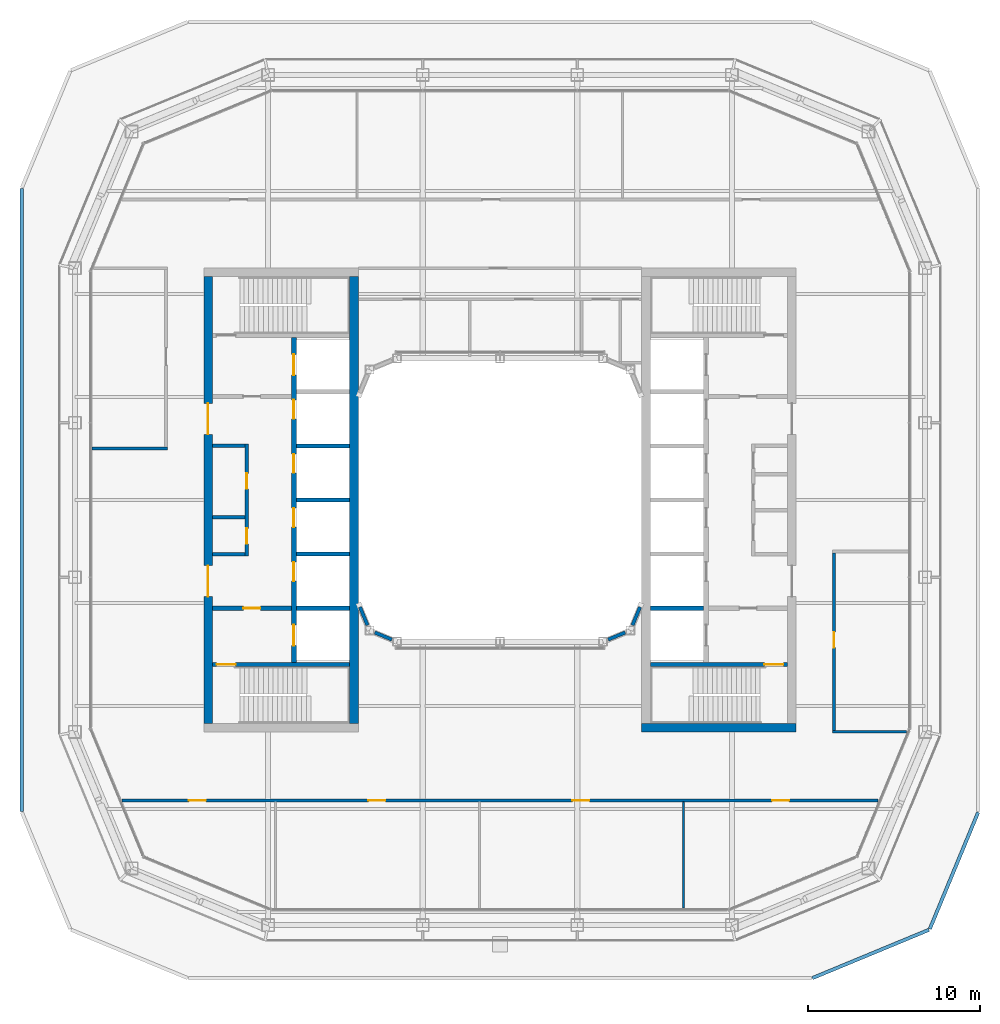
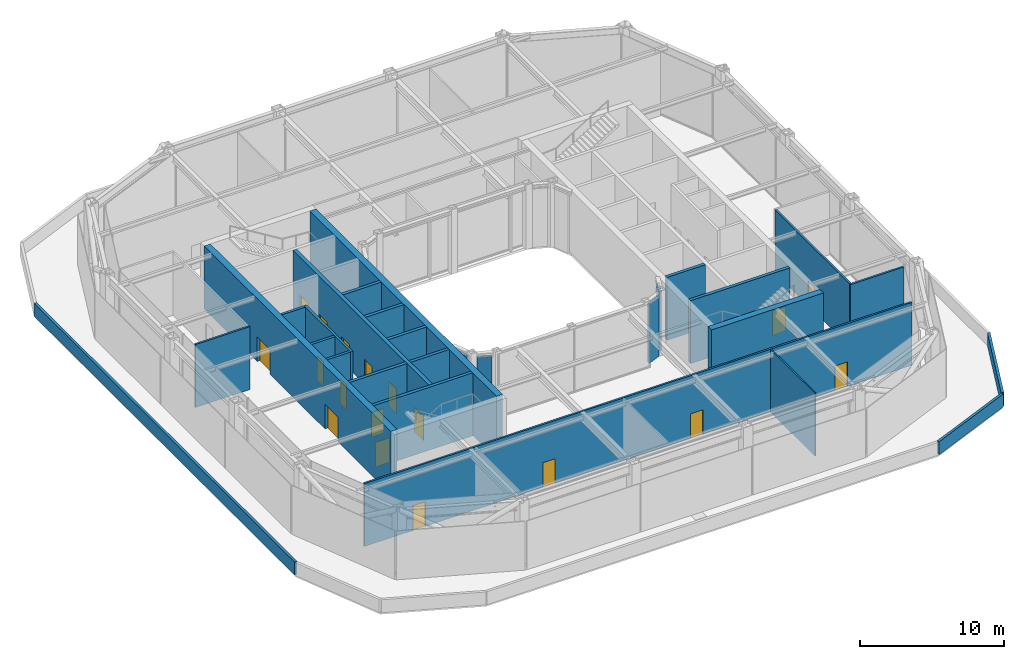
# One storey, part 10 of 17: 28 walls, 18 doors, 18 openings.
"""IFC4 building model written with IfcOpenShell, lengths in metres."""

from ifc_helpers import new_model, si_unit, direction, frame, frame_2d, origin, place, context, subcontext, project, spatial, rectangle, extrude, material, layer, layer_set, type_object, element, fill, save


model = new_model("IFC4")

# Units and contexts
model_context = context("Model", 3, precision=1e-05, world=origin(), true_north=direction((0.0, 1.0)))
body_context = subcontext(model_context, "Body", "Model", "MODEL_VIEW")
ifc_project = project(units=[si_unit("LENGTHUNIT", "METRE"), si_unit("AREAUNIT", "SQUARE_METRE"), si_unit("VOLUMEUNIT", "CUBIC_METRE"), si_unit("PLANEANGLEUNIT", "RADIAN"), si_unit("MASSUNIT", "GRAM", prefix="KILO")], contexts=[model_context])

# Site, building, storey
site_placement = place(None, origin())
site = spatial("IfcSite", under=ifc_project, at=site_placement, CompositionType="ELEMENT")
building_placement = place(site_placement, origin())
building = spatial("IfcBuilding", under=site, at=building_placement, Name="Siwar Civic Tower", CompositionType="ELEMENT")
storey_placement = place(building_placement, frame((0.0, 0.0, 284.199951171875)))
storey = spatial("IfcBuildingStorey", under=building, at=storey_placement, Name="L61", CompositionType="ELEMENT", Elevation=284.199951171875)

# Wall
ifc_material_1 = material(Name="Gypsum board on steel studs", Category="steel")
ifc_layer_1 = layer(ifc_material_1, 0.14990234375)
ifc_layer_set_1 = layer_set([ifc_layer_1], Name="Gypsum board on steel studs")
wall_type_1 = type_object("IfcWallType", Name="COMPARTMENT PARTITION 150 EI 60", PredefinedType="PARTITIONING", material=ifc_layer_set_1)
wall_1_placement = place(storey_placement, frame((19.375, -13.5, 0.0), z_axis=(0.0, 0.0, 1.0), x_axis=(1.0, 0.0, 0.0)))
element("IfcWall", 1, at=wall_1_placement, inside=storey, type_object=wall_type_1, Name="L61/wall/P02", PredefinedType="PARTITIONING", context=body_context, shape_type="SweptSolid", body=[
    extrude(rectangle(XDim=4.302978515625, YDim=0.14990234375, at=frame_2d((2.1513671875, 0.0))), origin(), (0.0, 0.0, 1.0), 5.35009765625),
])

# Wall, opening, door
wall_2_placement = place(storey_placement, frame((19.449951171875, -13.425048828125, 0.0), z_axis=(0.0, 0.0, 1.0), x_axis=(0.0, 1.0, 0.0)))
wall_2 = element("IfcWall", 2, at=wall_2_placement, inside=storey, type_object=wall_type_1, Name="L61/wall/P20", PredefinedType="PARTITIONING", context=body_context, shape_type="SweptSolid", body=[
    extrude(rectangle(XDim=10.35009765625, YDim=0.14990234375, at=frame_2d((5.175048828125, 0.0))), origin(), (0.0, 0.0, 1.0), 5.35009765625),
])
opening_1_placement = place(wall_2_placement, frame((4.824951171875, 0.0, 0.0)))
opening_1 = element("IfcOpeningElement", 3, at=opening_1_placement, cuts=wall_2, Name="Opening D4", PredefinedType="OPENING", context=body_context, shape_type="SweptSolid", body=[
    extrude(rectangle(XDim=0.89990234375, YDim=2.10009765625, at=frame_2d((0.449951171875, 1.050048828125))), frame((0.0, 0.0849609375, 0.0), z_axis=(0.0, -1.0, 0.0), x_axis=(1.0, 0.0, 0.0)), (0.0, 0.0, 1.0), 0.169921875),
])
ifc_material_2 = material(Name="Timber, painted", Category="wood")
door_type_1 = type_object("IfcDoorType", Name="DOOR 900 X 2100 FD60", OperationType="SINGLE_SWING_LEFT", PredefinedType="DOOR", material=ifc_material_2)
door_1_placement = place(opening_1_placement, origin())
door_1 = element("IfcDoor", 4, at=door_1_placement, inside=storey, type_object=door_type_1, Name="L61-D14", OperationType="SINGLE_SWING_RIGHT", OverallHeight=2.10009765625, OverallWidth=0.89990234375, PredefinedType="DOOR", context=body_context, shape_type="SweptSolid", body=[
    extrude(rectangle(XDim=0.89990234375, YDim=2.10009765625, at=frame_2d((0.449951171875, 1.050048828125))), frame((0.0, 0.02490234375, 0.0), z_axis=(0.0, -1.0, 0.0), x_axis=(1.0, 0.0, 0.0)), (0.0, 0.0, 1.0), 0.050048828125),
])
fill(opening_1, door_1)

# Wall, openings, doors
ifc_material_3 = material(Name="Gypsum board on steel studs", Category="steel")
ifc_layer_2 = layer(ifc_material_3, 0.199951171875)
ifc_layer_set_2 = layer_set([ifc_layer_2], Name="Gypsum board on steel studs")
wall_type_2 = type_object("IfcWallType", Name="CORE-PARTITION-200", PredefinedType="PARTITIONING", material=ifc_layer_set_2)
wall_3_placement = place(storey_placement, frame((-14.75, -3.25, 0.0), z_axis=(0.0, 0.0, 1.0), x_axis=(0.0, 1.0, 0.0)))
wall_3 = element("IfcWall", 5, at=wall_3_placement, inside=storey, type_object=wall_type_2, Name="Core partition W", PredefinedType="PARTITIONING", context=body_context, shape_type="SweptSolid", body=[
    extrude(rectangle(XDim=6.5, YDim=0.199951171875, at=frame_2d((3.25, 0.0))), origin(), (0.0, 0.0, 1.0), 5.35009765625),
])
opening_2_placement = place(wall_3_placement, frame((0.699951171875, 0.0, 0.0)))
opening_2 = element("IfcOpeningElement", 6, at=opening_2_placement, cuts=wall_3, Name="Opening L61-CW13", PredefinedType="OPENING", context=body_context, shape_type="SweptSolid", body=[
    extrude(rectangle(XDim=0.89990234375, YDim=2.10009765625, at=frame_2d((0.449951171875, 1.050048828125))), frame((0.0, 0.10986328125, 0.0), z_axis=(0.0, -1.0, 0.0), x_axis=(1.0, 0.0, 0.0)), (0.0, 0.0, 1.0), 0.219970703125),
])
opening_3_placement = place(wall_3_placement, frame((3.89990234375, 0.0, 0.0)))
opening_3 = element("IfcOpeningElement", 7, at=opening_3_placement, cuts=wall_3, Name="Opening L61-CW14", PredefinedType="OPENING", context=body_context, shape_type="SweptSolid", body=[
    extrude(rectangle(XDim=0.89990234375, YDim=2.10009765625, at=frame_2d((0.449951171875, 1.050048828125))), frame((0.0, 0.10986328125, 0.0), z_axis=(0.0, -1.0, 0.0), x_axis=(1.0, 0.0, 0.0)), (0.0, 0.0, 1.0), 0.219970703125),
])
ifc_material_4 = material(Name="Steel door leaf", Category="steel")
door_type_2 = type_object("IfcDoorType", Name="CORE-DOOR-ROOM", OperationType="SINGLE_SWING_LEFT", PredefinedType="DOOR", material=ifc_material_4)
door_2_placement = place(opening_2_placement, origin())
door_2 = element("IfcDoor", 8, at=door_2_placement, inside=storey, type_object=door_type_2, Name="Core room door L61-CW13", OperationType="SINGLE_SWING_RIGHT", OverallHeight=2.10009765625, OverallWidth=0.89990234375, PredefinedType="DOOR", context=body_context, shape_type="SweptSolid", body=[
    extrude(rectangle(XDim=0.89990234375, YDim=2.10009765625, at=frame_2d((0.449951171875, 1.050048828125))), frame((0.0, 0.02490234375, 0.0), z_axis=(0.0, -1.0, 0.0), x_axis=(1.0, 0.0, 0.0)), (0.0, 0.0, 1.0), 0.050048828125),
])
fill(opening_2, door_2)
door_3_placement = place(opening_3_placement, origin())
door_3 = element("IfcDoor", 9, at=door_3_placement, inside=storey, type_object=door_type_2, Name="Core room door L61-CW14", OperationType="SINGLE_SWING_LEFT", OverallHeight=2.10009765625, OverallWidth=0.89990234375, PredefinedType="DOOR", context=body_context, shape_type="SweptSolid", body=[
    extrude(rectangle(XDim=0.89990234375, YDim=2.10009765625, at=frame_2d((0.449951171875, 1.050048828125))), frame((0.0, 0.02490234375, 0.0), z_axis=(0.0, -1.0, 0.0), x_axis=(1.0, 0.0, 0.0)), (0.0, 0.0, 1.0), 0.050048828125),
])
fill(opening_3, door_3)

# Walls
for number, where, z_axis, x_axis, name in (
    (10, (-14.85009765625, 3.14990234375, 0.0), (0.0, 0.0, 1.0), (-1.0, 0.0, 0.0), "Core partition W"),
    (11, (-14.85009765625, -3.14990234375, 0.0), (0.0, 0.0, 1.0), (-1.0, 0.0, 0.0), "Core partition W"),
    (12, (-14.85009765625, -1.0, 0.0), (0.0, 0.0, 1.0), (-1.0, 0.0, 0.0), "Core partition W"),
):
    element("IfcWall", number, at=place(storey_placement, frame(where, z_axis=z_axis, x_axis=x_axis)), inside=storey, type_object=wall_type_2, Name=name, PredefinedType="PARTITIONING", context=body_context, shape_type="SweptSolid", body=[
        extrude(rectangle(XDim=1.89990234375, YDim=0.199951171875, at=frame_2d((0.949951171875, 0.0))), origin(), (0.0, 0.0, 1.0), 5.35009765625),
    ])

# Wall, opening, door
ifc_material_5 = material(Name="Concrete C60/75", Category="concrete")
ifc_layer_3 = layer(ifc_material_5, 0.25)
ifc_layer_set_3 = layer_set([ifc_layer_3], Name="Concrete C60/75")
wall_type_3 = type_object("IfcWallType", Name="CORE-WALL-RC250", PredefinedType="SHEAR", material=ifc_layer_set_3)
wall_4_placement = place(storey_placement, frame((-12.14990234375, -6.300048828125, 0.0), z_axis=(0.0, 0.0, 1.0), x_axis=(-1.0, 0.0, 0.0)))
wall_4 = element("IfcWall", 13, at=wall_4_placement, inside=storey, type_object=wall_type_3, Name="Core wall W", PredefinedType="SHEAR", context=body_context, shape_type="SweptSolid", body=[
    extrude(rectangle(XDim=4.60009765625, YDim=0.25, at=frame_2d((2.300048828125, 0.0))), origin(), (0.0, 0.0, 1.0), 5.35009765625),
])
opening_4_placement = place(wall_4_placement, frame((1.800048828125, 0.0, 0.0)))
opening_4 = element("IfcOpeningElement", 14, at=opening_4_placement, cuts=wall_4, Name="Opening L61-CW02", PredefinedType="OPENING", context=body_context, shape_type="SweptSolid", body=[
    extrude(rectangle(XDim=1.0, YDim=2.10009765625, at=frame_2d((0.5, 1.050048828125))), frame((0.0, 0.135009765625, 0.0), z_axis=(0.0, -1.0, 0.0), x_axis=(1.0, 0.0, 0.0)), (0.0, 0.0, 1.0), 0.27001953125),
])
ifc_material_6 = material(Name="Steel door leaf", Category="steel")
door_type_3 = type_object("IfcDoorType", Name="CORE-DOOR-FD30S", OperationType="SINGLE_SWING_LEFT", PredefinedType="DOOR", material=ifc_material_6)
door_4_placement = place(opening_4_placement, origin())
door_4 = element("IfcDoor", 15, at=door_4_placement, inside=storey, type_object=door_type_3, Name="Service lobby door L61-CW02", OperationType="SINGLE_SWING_RIGHT", OverallHeight=2.10009765625, OverallWidth=1.0, PredefinedType="DOOR", context=body_context, shape_type="SweptSolid", body=[
    extrude(rectangle(XDim=1.0, YDim=2.10009765625, at=frame_2d((0.5, 1.050048828125))), frame((0.0, 0.02490234375, 0.0), z_axis=(0.0, -1.0, 0.0), x_axis=(1.0, 0.0, 0.0)), (0.0, 0.0, 1.0), 0.050048828125),
])
fill(opening_4, door_4)

# Walls
for number, where, z_axis, x_axis, name in (
    (16, (-8.75, 0.0, 0.0), (0.0, 0.0, 1.0), (-1.0, 0.0, 0.0), "Core wall W"),
    (17, (-8.75, 3.14990234375, 0.0), (0.0, 0.0, 1.0), (-1.0, 0.0, 0.0), "Core wall W"),
    (18, (-8.75, -3.14990234375, 0.0), (0.0, 0.0, 1.0), (-1.0, 0.0, 0.0), "Core wall W"),
    (19, (-8.75, -6.300048828125, 0.0), (0.0, 0.0, 1.0), (-1.0, 0.0, 0.0), "Core wall W"),
):
    element("IfcWall", number, at=place(storey_placement, frame(where, z_axis=z_axis, x_axis=x_axis)), inside=storey, type_object=wall_type_3, Name=name, PredefinedType="SHEAR", context=body_context, shape_type="SweptSolid", body=[
        extrude(rectangle(XDim=3.10009765625, YDim=0.25, at=frame_2d((1.550048828125, 0.0))), origin(), (0.0, 0.0, 1.0), 5.35009765625),
    ])

# Wall, opening, door
wall_5_placement = place(storey_placement, frame((-8.75, -9.574951171875, 0.0), z_axis=(0.0, 0.0, 1.0), x_axis=(-1.0, 0.0, 0.0)))
wall_5 = element("IfcWall", 20, at=wall_5_placement, inside=storey, type_object=wall_type_3, Name="Core wall W", PredefinedType="SHEAR", context=body_context, shape_type="SweptSolid", body=[
    extrude(rectangle(XDim=8.0, YDim=0.25, at=frame_2d((4.0, 0.0))), origin(), (0.0, 0.0, 1.0), 5.35009765625),
])
opening_5_placement = place(wall_5_placement, frame((6.64990234375, 0.0, 0.0)))
opening_5 = element("IfcOpeningElement", 21, at=opening_5_placement, cuts=wall_5, Name="Opening L61-CW04", PredefinedType="OPENING", context=body_context, shape_type="SweptSolid", body=[
    extrude(rectangle(XDim=1.10009765625, YDim=2.10009765625, at=frame_2d((0.550048828125, 1.050048828125))), frame((0.0, 0.135009765625, 0.0), z_axis=(0.0, -1.0, 0.0), x_axis=(1.0, 0.0, 0.0)), (0.0, 0.0, 1.0), 0.27001953125),
])
ifc_material_7 = material(Name="Steel door leaf", Category="steel")
door_type_4 = type_object("IfcDoorType", Name="CORE-DOOR-FD60S", OperationType="SINGLE_SWING_LEFT", PredefinedType="DOOR", material=ifc_material_7)
door_5_placement = place(opening_5_placement, origin())
door_5 = element("IfcDoor", 22, at=door_5_placement, inside=storey, type_object=door_type_4, Name="Stair door L61-CW04", OperationType="SINGLE_SWING_LEFT", OverallHeight=2.10009765625, OverallWidth=1.10009765625, PredefinedType="DOOR", context=body_context, shape_type="SweptSolid", body=[
    extrude(rectangle(XDim=1.10009765625, YDim=2.10009765625, at=frame_2d((0.550048828125, 1.050048828125))), frame((0.0, 0.02490234375, 0.0), z_axis=(0.0, -1.0, 0.0), x_axis=(1.0, 0.0, 0.0)), (0.0, 0.0, 1.0), 0.050048828125),
])
fill(opening_5, door_5)

# Wall
wall_6_placement = place(storey_placement, frame((8.75, -6.300048828125, 0.0), z_axis=(0.0, 0.0, 1.0), x_axis=(1.0, 0.0, 0.0)))
element("IfcWall", 23, at=wall_6_placement, inside=storey, type_object=wall_type_3, Name="Core wall E", PredefinedType="SHEAR", context=body_context, shape_type="SweptSolid", body=[
    extrude(rectangle(XDim=3.10009765625, YDim=0.25, at=frame_2d((1.550048828125, 0.0))), origin(), (0.0, 0.0, 1.0), 5.35009765625),
])

# Wall, opening, door
wall_7_placement = place(storey_placement, frame((8.75, -9.574951171875, 0.0), z_axis=(0.0, 0.0, 1.0), x_axis=(1.0, 0.0, 0.0)))
wall_7 = element("IfcWall", 24, at=wall_7_placement, inside=storey, type_object=wall_type_3, Name="Core wall E", PredefinedType="SHEAR", context=body_context, shape_type="SweptSolid", body=[
    extrude(rectangle(XDim=8.0, YDim=0.25, at=frame_2d((4.0, 0.0))), origin(), (0.0, 0.0, 1.0), 5.35009765625),
])
opening_6_placement = place(wall_7_placement, frame((6.64990234375, 0.0, 0.0)))
opening_6 = element("IfcOpeningElement", 25, at=opening_6_placement, cuts=wall_7, Name="Opening L61-CE04", PredefinedType="OPENING", context=body_context, shape_type="SweptSolid", body=[
    extrude(rectangle(XDim=1.10009765625, YDim=2.10009765625, at=frame_2d((0.550048828125, 1.050048828125))), frame((0.0, 0.135009765625, 0.0), z_axis=(0.0, -1.0, 0.0), x_axis=(1.0, 0.0, 0.0)), (0.0, 0.0, 1.0), 0.27001953125),
])
door_6_placement = place(opening_6_placement, origin())
door_6 = element("IfcDoor", 26, at=door_6_placement, inside=storey, type_object=door_type_4, Name="Stair door L61-CE04", OperationType="SINGLE_SWING_RIGHT", OverallHeight=2.10009765625, OverallWidth=1.10009765625, PredefinedType="DOOR", context=body_context, shape_type="SweptSolid", body=[
    extrude(rectangle(XDim=1.10009765625, YDim=2.10009765625, at=frame_2d((0.550048828125, 1.050048828125))), frame((0.0, 0.02490234375, 0.0), z_axis=(0.0, -1.0, 0.0), x_axis=(1.0, 0.0, 0.0)), (0.0, 0.0, 1.0), 0.050048828125),
])
fill(opening_6, door_6)

# Wall, openings, doors
ifc_material_8 = material(Name="Concrete C60/75", Category="concrete")
ifc_layer_4 = layer(ifc_material_8, 0.300048828125)
ifc_layer_set_4 = layer_set([ifc_layer_4], Name="Concrete C60/75")
wall_type_4 = type_object("IfcWallType", Name="CORE-WALL-RC300", PredefinedType="SHEAR", material=ifc_layer_set_4)
wall_8_placement = place(storey_placement, frame((-12.0, -9.449951171875, 0.0), z_axis=(0.0, 0.0, 1.0), x_axis=(0.0, 1.0, 0.0)))
wall_8 = element("IfcWall", 27, at=wall_8_placement, inside=storey, type_object=wall_type_4, Name="Core wall W", PredefinedType="SHEAR", context=body_context, shape_type="SweptSolid", body=[
    extrude(rectangle(XDim=18.89990234375, YDim=0.300048828125, at=frame_2d((9.449951171875, 0.0))), origin(), (0.0, 0.0, 1.0), 5.35009765625),
])
opening_7_placement = place(wall_8_placement, frame((4.72509765625, 0.0, 0.0)))
opening_7 = element("IfcOpeningElement", 28, at=opening_7_placement, cuts=wall_8, Name="Opening L61-CW07", PredefinedType="OPENING", context=body_context, shape_type="SweptSolid", body=[
    extrude(rectangle(XDim=1.10009765625, YDim=2.10009765625, at=frame_2d((0.550048828125, 1.050048828125))), frame((0.0, 0.16015625, 0.0), z_axis=(0.0, -1.0, 0.0), x_axis=(1.0, 0.0, 0.0)), (0.0, 0.0, 1.0), 0.320068359375),
])
opening_8_placement = place(wall_8_placement, frame((7.875, 0.0, 0.0)))
opening_8 = element("IfcOpeningElement", 29, at=opening_8_placement, cuts=wall_8, Name="Opening L61-CW08", PredefinedType="OPENING", context=body_context, shape_type="SweptSolid", body=[
    extrude(rectangle(XDim=1.10009765625, YDim=2.10009765625, at=frame_2d((0.550048828125, 1.050048828125))), frame((0.0, 0.16015625, 0.0), z_axis=(0.0, -1.0, 0.0), x_axis=(1.0, 0.0, 0.0)), (0.0, 0.0, 1.0), 0.320068359375),
])
opening_9_placement = place(wall_8_placement, frame((11.02490234375, 0.0, 0.0)))
opening_9 = element("IfcOpeningElement", 30, at=opening_9_placement, cuts=wall_8, Name="Opening L61-CW09", PredefinedType="OPENING", context=body_context, shape_type="SweptSolid", body=[
    extrude(rectangle(XDim=1.10009765625, YDim=2.10009765625, at=frame_2d((0.550048828125, 1.050048828125))), frame((0.0, 0.16015625, 0.0), z_axis=(0.0, -1.0, 0.0), x_axis=(1.0, 0.0, 0.0)), (0.0, 0.0, 1.0), 0.320068359375),
])
opening_10_placement = place(wall_8_placement, frame((14.175048828125, 0.0, 0.0)))
opening_10 = element("IfcOpeningElement", 31, at=opening_10_placement, cuts=wall_8, Name="Opening L61-CW10", PredefinedType="OPENING", context=body_context, shape_type="SweptSolid", body=[
    extrude(rectangle(XDim=1.10009765625, YDim=2.10009765625, at=frame_2d((0.550048828125, 1.050048828125))), frame((0.0, 0.16015625, 0.0), z_axis=(0.0, -1.0, 0.0), x_axis=(1.0, 0.0, 0.0)), (0.0, 0.0, 1.0), 0.320068359375),
])
opening_11_placement = place(wall_8_placement, frame((16.72509765625, 0.0, 0.0)))
opening_11 = element("IfcOpeningElement", 32, at=opening_11_placement, cuts=wall_8, Name="Opening L61-CW11", PredefinedType="OPENING", context=body_context, shape_type="SweptSolid", body=[
    extrude(rectangle(XDim=1.199951171875, YDim=2.10009765625, at=frame_2d((0.60009765625, 1.050048828125))), frame((0.0, 0.16015625, 0.0), z_axis=(0.0, -1.0, 0.0), x_axis=(1.0, 0.0, 0.0)), (0.0, 0.0, 1.0), 0.320068359375),
])
opening_12_placement = place(wall_8_placement, frame((0.97509765625, 0.0, 0.0)))
opening_12 = element("IfcOpeningElement", 33, at=opening_12_placement, cuts=wall_8, Name="Opening L61-CW12", PredefinedType="OPENING", context=body_context, shape_type="SweptSolid", body=[
    extrude(rectangle(XDim=1.199951171875, YDim=2.10009765625, at=frame_2d((0.60009765625, 1.050048828125))), frame((0.0, 0.16015625, 0.0), z_axis=(0.0, -1.0, 0.0), x_axis=(1.0, 0.0, 0.0)), (0.0, 0.0, 1.0), 0.320068359375),
])
ifc_material_9 = material(Name="Steel door leaf", Category="steel")
door_type_5 = type_object("IfcDoorType", Name="CORE-DOOR-LD", OperationType="DOUBLE_DOOR_SLIDING", PredefinedType="DOOR", material=ifc_material_9)
door_7_placement = place(opening_7_placement, origin())
door_7 = element("IfcDoor", 34, at=door_7_placement, inside=storey, type_object=door_type_5, Name="Landing door HR1 L61-CW07", OperationType="DOUBLE_DOOR_SLIDING", OverallHeight=2.10009765625, OverallWidth=1.10009765625, PredefinedType="DOOR", context=body_context, shape_type="SweptSolid", body=[
    extrude(rectangle(XDim=1.10009765625, YDim=2.10009765625, at=frame_2d((0.550048828125, 1.050048828125))), frame((0.0, 0.02490234375, 0.0), z_axis=(0.0, -1.0, 0.0), x_axis=(1.0, 0.0, 0.0)), (0.0, 0.0, 1.0), 0.050048828125),
])
fill(opening_7, door_7)
door_8_placement = place(opening_8_placement, origin())
door_8 = element("IfcDoor", 35, at=door_8_placement, inside=storey, type_object=door_type_5, Name="Landing door HR2 L61-CW08", OperationType="DOUBLE_DOOR_SLIDING", OverallHeight=2.10009765625, OverallWidth=1.10009765625, PredefinedType="DOOR", context=body_context, shape_type="SweptSolid", body=[
    extrude(rectangle(XDim=1.10009765625, YDim=2.10009765625, at=frame_2d((0.550048828125, 1.050048828125))), frame((0.0, 0.02490234375, 0.0), z_axis=(0.0, -1.0, 0.0), x_axis=(1.0, 0.0, 0.0)), (0.0, 0.0, 1.0), 0.050048828125),
])
fill(opening_8, door_8)
door_9_placement = place(opening_9_placement, origin())
door_9 = element("IfcDoor", 36, at=door_9_placement, inside=storey, type_object=door_type_5, Name="Landing door HR3 L61-CW09", OperationType="DOUBLE_DOOR_SLIDING", OverallHeight=2.10009765625, OverallWidth=1.10009765625, PredefinedType="DOOR", context=body_context, shape_type="SweptSolid", body=[
    extrude(rectangle(XDim=1.10009765625, YDim=2.10009765625, at=frame_2d((0.550048828125, 1.050048828125))), frame((0.0, 0.02490234375, 0.0), z_axis=(0.0, -1.0, 0.0), x_axis=(1.0, 0.0, 0.0)), (0.0, 0.0, 1.0), 0.050048828125),
])
fill(opening_9, door_9)
door_10_placement = place(opening_10_placement, origin())
door_10 = element("IfcDoor", 37, at=door_10_placement, inside=storey, type_object=door_type_5, Name="Landing door HR4 L61-CW10", OperationType="DOUBLE_DOOR_SLIDING", OverallHeight=2.10009765625, OverallWidth=1.10009765625, PredefinedType="DOOR", context=body_context, shape_type="SweptSolid", body=[
    extrude(rectangle(XDim=1.10009765625, YDim=2.10009765625, at=frame_2d((0.550048828125, 1.050048828125))), frame((0.0, 0.02490234375, 0.0), z_axis=(0.0, -1.0, 0.0), x_axis=(1.0, 0.0, 0.0)), (0.0, 0.0, 1.0), 0.050048828125),
])
fill(opening_10, door_10)
ifc_material_10 = material(Name="Steel door leaf", Category="steel")
door_type_6 = type_object("IfcDoorType", Name="CORE-DOOR-LDW", OperationType="DOUBLE_DOOR_SLIDING", PredefinedType="DOOR", material=ifc_material_10)
door_11_placement = place(opening_11_placement, origin())
door_11 = element("IfcDoor", 38, at=door_11_placement, inside=storey, type_object=door_type_6, Name="Landing door FF1 L61-CW11", OperationType="DOUBLE_DOOR_SLIDING", OverallHeight=2.10009765625, OverallWidth=1.199951171875, PredefinedType="DOOR", context=body_context, shape_type="SweptSolid", body=[
    extrude(rectangle(XDim=1.199951171875, YDim=2.10009765625, at=frame_2d((0.60009765625, 1.050048828125))), frame((0.0, 0.02490234375, 0.0), z_axis=(0.0, -1.0, 0.0), x_axis=(1.0, 0.0, 0.0)), (0.0, 0.0, 1.0), 0.050048828125),
])
fill(opening_11, door_11)
door_12_placement = place(opening_12_placement, origin())
door_12 = element("IfcDoor", 39, at=door_12_placement, inside=storey, type_object=door_type_6, Name="Landing door SV1 L61-CW12", OperationType="DOUBLE_DOOR_SLIDING", OverallHeight=2.10009765625, OverallWidth=1.199951171875, PredefinedType="DOOR", context=body_context, shape_type="SweptSolid", body=[
    extrude(rectangle(XDim=1.199951171875, YDim=2.10009765625, at=frame_2d((0.60009765625, 1.050048828125))), frame((0.0, 0.02490234375, 0.0), z_axis=(0.0, -1.0, 0.0), x_axis=(1.0, 0.0, 0.0)), (0.0, 0.0, 1.0), 0.050048828125),
])
fill(opening_12, door_12)

ifc_material_11 = material(Name="Concrete C60/75", Category="concrete")
ifc_layer_5 = layer(ifc_material_11, 0.5)
ifc_layer_set_5 = layer_set([ifc_layer_5], Name="Concrete C60/75")
wall_type_5 = type_object("IfcWallType", Name="CORE-WALL-RC500", PredefinedType="SHEAR", material=ifc_layer_set_5)
wall_9_placement = place(storey_placement, frame((-17.0, -13.0, 0.0), z_axis=(0.0, 0.0, 1.0), x_axis=(0.0, 1.0, 0.0)))
wall_9 = element("IfcWall", 40, at=wall_9_placement, inside=storey, type_object=wall_type_5, Name="Core wall W", PredefinedType="SHEAR", context=body_context, shape_type="SweptSolid", body=[
    extrude(rectangle(XDim=26.0, YDim=0.5, at=frame_2d((13.0, 0.0))), origin(), (0.0, 0.0, 1.0), 5.35009765625),
])
opening_13_placement = place(wall_9_placement, frame((16.824951171875, 0.0, 0.0)))
opening_13 = element("IfcOpeningElement", 41, at=opening_13_placement, cuts=wall_9, Name="Opening L61-CW05", PredefinedType="OPENING", context=body_context, shape_type="SweptSolid", body=[
    extrude(rectangle(XDim=1.800048828125, YDim=2.10009765625, at=frame_2d((0.89990234375, 1.050048828125))), frame((0.0, 0.260009765625, 0.0), z_axis=(0.0, -1.0, 0.0), x_axis=(1.0, 0.0, 0.0)), (0.0, 0.0, 1.0), 0.52001953125),
])
opening_14_placement = place(wall_9_placement, frame((7.375, 0.0, 0.0)))
opening_14 = element("IfcOpeningElement", 42, at=opening_14_placement, cuts=wall_9, Name="Opening L61-CW06", PredefinedType="OPENING", context=body_context, shape_type="SweptSolid", body=[
    extrude(rectangle(XDim=1.800048828125, YDim=2.10009765625, at=frame_2d((0.89990234375, 1.050048828125))), frame((0.0, 0.260009765625, 0.0), z_axis=(0.0, -1.0, 0.0), x_axis=(1.0, 0.0, 0.0)), (0.0, 0.0, 1.0), 0.52001953125),
])
ifc_material_12 = material(Name="Steel door leaf", Category="steel")
door_type_7 = type_object("IfcDoorType", Name="CORE-DOOR-PORT", OperationType="DOUBLE_DOOR_DOUBLE_SWING", PredefinedType="DOOR", material=ifc_material_12)
door_13_placement = place(opening_13_placement, origin())
door_13 = element("IfcDoor", 43, at=door_13_placement, inside=storey, type_object=door_type_7, Name="Core entrance door L61-CW05", OperationType="DOUBLE_DOOR_DOUBLE_SWING", OverallHeight=2.10009765625, OverallWidth=1.800048828125, PredefinedType="DOOR", context=body_context, shape_type="SweptSolid", body=[
    extrude(rectangle(XDim=1.800048828125, YDim=2.10009765625, at=frame_2d((0.89990234375, 1.050048828125))), frame((0.0, 0.02490234375, 0.0), z_axis=(0.0, -1.0, 0.0), x_axis=(1.0, 0.0, 0.0)), (0.0, 0.0, 1.0), 0.050048828125),
])
fill(opening_13, door_13)
door_14_placement = place(opening_14_placement, origin())
door_14 = element("IfcDoor", 44, at=door_14_placement, inside=storey, type_object=door_type_7, Name="Core entrance door L61-CW06", OperationType="DOUBLE_DOOR_DOUBLE_SWING", OverallHeight=2.10009765625, OverallWidth=1.800048828125, PredefinedType="DOOR", context=body_context, shape_type="SweptSolid", body=[
    extrude(rectangle(XDim=1.800048828125, YDim=2.10009765625, at=frame_2d((0.89990234375, 1.050048828125))), frame((0.0, 0.02490234375, 0.0), z_axis=(0.0, -1.0, 0.0), x_axis=(1.0, 0.0, 0.0)), (0.0, 0.0, 1.0), 0.050048828125),
])
fill(opening_14, door_14)

# Walls
wall_10_placement = place(storey_placement, frame((8.25, -13.25, 0.0), z_axis=(0.0, 0.0, 1.0), x_axis=(1.0, 0.0, 0.0)))
element("IfcWall", 45, at=wall_10_placement, inside=storey, type_object=wall_type_5, Name="Core wall E", PredefinedType="SHEAR", context=body_context, shape_type="SweptSolid", body=[
    extrude(rectangle(XDim=9.0, YDim=0.5, at=frame_2d((4.5, 0.0))), origin(), (0.0, 0.0, 1.0), 5.35009765625),
])
ifc_material_13 = material(Name="Concrete C60/75", Category="concrete")
ifc_layer_6 = layer(ifc_material_13, 0.5)
ifc_layer_set_6 = layer_set([ifc_layer_6], Name="Concrete C60/75")
wall_type_6 = type_object("IfcWallType", Name="CORE-WALL-RC500-EXT", PredefinedType="SHEAR", material=ifc_layer_set_6)
wall_11_placement = place(storey_placement, frame((-8.5, -13.0, 0.0), z_axis=(0.0, 0.0, 1.0), x_axis=(0.0, 1.0, 0.0)))
element("IfcWall", 46, at=wall_11_placement, inside=storey, type_object=wall_type_6, Name="Core wall W", PredefinedType="SHEAR", context=body_context, shape_type="SweptSolid", body=[
    extrude(rectangle(XDim=26.0, YDim=0.5, at=frame_2d((13.0, 0.0))), origin(), (0.0, 0.0, 1.0), 5.35009765625),
])

# Wall, openings, doors
ifc_material_14 = material(Name="Gypsum board on steel studs", Category="steel")
ifc_layer_7 = layer(ifc_material_14, 0.14990234375)
ifc_layer_set_7 = layer_set([ifc_layer_7], Name="Gypsum board on steel studs")
wall_type_7 = type_object("IfcWallType", Name="CORRIDOR PARTITION 150 EI 30", PredefinedType="PARTITIONING", material=ifc_layer_set_7)
wall_12_placement = place(storey_placement, frame((-22.02099609375, -17.5, 0.0), z_axis=(0.0, 0.0, 1.0), x_axis=(1.0, 0.0, 0.0)))
wall_12 = element("IfcWall", 47, at=wall_12_placement, inside=storey, type_object=wall_type_7, Name="L61/wall/P01", PredefinedType="PARTITIONING", context=body_context, shape_type="SweptSolid", body=[
    extrude(rectangle(XDim=44.0419921875, YDim=0.14990234375, at=frame_2d((22.02099609375, 0.0))), origin(), (0.0, 0.0, 1.0), 5.35009765625),
])
opening_15_placement = place(wall_12_placement, frame((3.89990234375, 0.0, 0.0)))
opening_15 = element("IfcOpeningElement", 48, at=opening_15_placement, cuts=wall_12, Name="Opening D1", PredefinedType="OPENING", context=body_context, shape_type="SweptSolid", body=[
    extrude(rectangle(XDim=1.0, YDim=2.10009765625, at=frame_2d((0.5, 1.050048828125))), frame((0.0, 0.0849609375, 0.0), z_axis=(0.0, -1.0, 0.0), x_axis=(1.0, 0.0, 0.0)), (0.0, 0.0, 1.0), 0.169921875),
])
opening_16_placement = place(wall_12_placement, frame((14.35107421875, 0.0, 0.0)))
opening_16 = element("IfcOpeningElement", 49, at=opening_16_placement, cuts=wall_12, Name="Opening D1", PredefinedType="OPENING", context=body_context, shape_type="SweptSolid", body=[
    extrude(rectangle(XDim=1.0, YDim=2.10009765625, at=frame_2d((0.5, 1.050048828125))), frame((0.0, 0.0849609375, 0.0), z_axis=(0.0, -1.0, 0.0), x_axis=(1.0, 0.0, 0.0)), (0.0, 0.0, 1.0), 0.169921875),
])
opening_17_placement = place(wall_12_placement, frame((26.23095703125, 0.0, 0.0)))
opening_17 = element("IfcOpeningElement", 50, at=opening_17_placement, cuts=wall_12, Name="Opening D1", PredefinedType="OPENING", context=body_context, shape_type="SweptSolid", body=[
    extrude(rectangle(XDim=1.0, YDim=2.10009765625, at=frame_2d((0.5, 1.050048828125))), frame((0.0, 0.0849609375, 0.0), z_axis=(0.0, -1.0, 0.0), x_axis=(1.0, 0.0, 0.0)), (0.0, 0.0, 1.0), 0.169921875),
])
opening_18_placement = place(wall_12_placement, frame((37.861083984375, 0.0, 0.0)))
opening_18 = element("IfcOpeningElement", 51, at=opening_18_placement, cuts=wall_12, Name="Opening D1", PredefinedType="OPENING", context=body_context, shape_type="SweptSolid", body=[
    extrude(rectangle(XDim=1.0, YDim=2.10009765625, at=frame_2d((0.5, 1.050048828125))), frame((0.0, 0.0849609375, 0.0), z_axis=(0.0, -1.0, 0.0), x_axis=(1.0, 0.0, 0.0)), (0.0, 0.0, 1.0), 0.169921875),
])
ifc_material_15 = material(Name="Timber, painted", Category="wood")
door_type_8 = type_object("IfcDoorType", Name="DOOR 1000 X 2100 FD30", OperationType="SINGLE_SWING_LEFT", PredefinedType="DOOR", material=ifc_material_15)
door_15_placement = place(opening_15_placement, origin())
door_15 = element("IfcDoor", 52, at=door_15_placement, inside=storey, type_object=door_type_8, Name="L61-D04", OperationType="SINGLE_SWING_RIGHT", OverallHeight=2.10009765625, OverallWidth=1.0, PredefinedType="DOOR", context=body_context, shape_type="SweptSolid", body=[
    extrude(rectangle(XDim=1.0, YDim=2.10009765625, at=frame_2d((0.5, 1.050048828125))), frame((0.0, 0.02490234375, 0.0), z_axis=(0.0, -1.0, 0.0), x_axis=(1.0, 0.0, 0.0)), (0.0, 0.0, 1.0), 0.050048828125),
])
fill(opening_15, door_15)
door_16_placement = place(opening_16_placement, origin())
door_16 = element("IfcDoor", 53, at=door_16_placement, inside=storey, type_object=door_type_8, Name="L61-D05", OperationType="SINGLE_SWING_LEFT", OverallHeight=2.10009765625, OverallWidth=1.0, PredefinedType="DOOR", context=body_context, shape_type="SweptSolid", body=[
    extrude(rectangle(XDim=1.0, YDim=2.10009765625, at=frame_2d((0.5, 1.050048828125))), frame((0.0, 0.02490234375, 0.0), z_axis=(0.0, -1.0, 0.0), x_axis=(1.0, 0.0, 0.0)), (0.0, 0.0, 1.0), 0.050048828125),
])
fill(opening_16, door_16)
door_17_placement = place(opening_17_placement, origin())
door_17 = element("IfcDoor", 54, at=door_17_placement, inside=storey, type_object=door_type_8, Name="L61-D06", OperationType="SINGLE_SWING_RIGHT", OverallHeight=2.10009765625, OverallWidth=1.0, PredefinedType="DOOR", context=body_context, shape_type="SweptSolid", body=[
    extrude(rectangle(XDim=1.0, YDim=2.10009765625, at=frame_2d((0.5, 1.050048828125))), frame((0.0, 0.02490234375, 0.0), z_axis=(0.0, -1.0, 0.0), x_axis=(1.0, 0.0, 0.0)), (0.0, 0.0, 1.0), 0.050048828125),
])
fill(opening_17, door_17)
door_18_placement = place(opening_18_placement, origin())
door_18 = element("IfcDoor", 55, at=door_18_placement, inside=storey, type_object=door_type_8, Name="L61-D07", OperationType="SINGLE_SWING_LEFT", OverallHeight=2.10009765625, OverallWidth=1.0, PredefinedType="DOOR", context=body_context, shape_type="SweptSolid", body=[
    extrude(rectangle(XDim=1.0, YDim=2.10009765625, at=frame_2d((0.5, 1.050048828125))), frame((0.0, 0.02490234375, 0.0), z_axis=(0.0, -1.0, 0.0), x_axis=(1.0, 0.0, 0.0)), (0.0, 0.0, 1.0), 0.050048828125),
])
fill(opening_18, door_18)

# Walls
wall_13_placement = place(storey_placement, frame((-23.760009765625, 3.0, 0.0), z_axis=(0.0, 0.0, 1.0), x_axis=(1.0, 0.0, 0.0)))
element("IfcWall", 56, at=wall_13_placement, inside=storey, type_object=wall_type_7, Name="L61/wall/P04", PredefinedType="PARTITIONING", context=body_context, shape_type="SweptSolid", body=[
    extrude(rectangle(XDim=4.385009765625, YDim=0.14990234375, at=frame_2d((2.1923828125, 0.0))), origin(), (0.0, 0.0, 1.0), 5.35009765625),
])
ifc_material_16 = material(Name="Aluminium clad insulated panel", Category="aluminium")
ifc_layer_8 = layer(ifc_material_16, 0.199951171875)
ifc_layer_set_8 = layer_set([ifc_layer_8], Name="Aluminium clad insulated panel")
wall_type_8 = type_object("IfcWallType", Name="ENV-PARAPET", PredefinedType="PARAPET", material=ifc_layer_set_8)
for number, where, z_axis, x_axis, name in (
    (57, (18.1875, -27.84228515625, 0.0), (0.0, 0.0, 1.0), (0.923879961605, 0.382682396439, 0.0), "Parapet L60 roof 1.3"),
    (58, (25.0302734375, -24.976318359375, 0.0), (0.0, 0.0, 1.0), (0.382682396439, 0.923879961605, 0.0), "Parapet L60 roof 1.4"),
):
    element("IfcWall", number, at=place(storey_placement, frame(where, z_axis=z_axis, x_axis=x_axis)), inside=storey, type_object=wall_type_8, Name=name, PredefinedType="PARAPET", context=body_context, shape_type="SweptSolid", body=[
        extrude(rectangle(XDim=7.34814453125, YDim=0.199951171875, at=frame_2d((3.674072265625, 0.0))), origin(), (0.0, 0.0, 1.0), 1.10009765625),
    ])
wall_14_placement = place(storey_placement, frame((-27.85009765625, 18.149169921875, 0.0), z_axis=(0.0, 0.0, 1.0), x_axis=(0.0, -1.0, 0.0)))
element("IfcWall", 59, at=wall_14_placement, inside=storey, type_object=wall_type_8, Name="Parapet L60 roof 1.11", PredefinedType="PARAPET", context=body_context, shape_type="SweptSolid", body=[
    extrude(rectangle(XDim=36.29833984375, YDim=0.199951171875, at=frame_2d((18.149169921875, 0.0))), origin(), (0.0, 0.0, 1.0), 1.10009765625),
])
ifc_material_17 = material(Name="Aluminium clad insulated panel", Category="aluminium")
ifc_layer_9 = layer(ifc_material_17, 0.199951171875)
ifc_layer_set_9 = layer_set([ifc_layer_9], Name="Aluminium clad insulated panel")
wall_type_9 = type_object("IfcWallType", Name="ENV-WALL-WELL", PredefinedType="STANDARD", material=ifc_layer_set_9)
wall_15_placement = place(storey_placement, frame((6.3017578125, -8.125, 0.0), z_axis=(0.0, 0.0, 1.0), x_axis=(0.923919409248, 0.382587147216, 0.0)))
element("IfcWall", 60, at=wall_15_placement, inside=storey, type_object=wall_type_9, Name="Light well corner wall SE1", PredefinedType="STANDARD", context=body_context, shape_type="SweptSolid", body=[
    extrude(rectangle(XDim=1.06884765625, YDim=0.199951171875, at=frame_2d((0.534423828125, 0.0))), origin(), (0.0, 0.0, 1.0), 5.010009765625),
])
for number, where, z_axis, x_axis, name in (
    (61, (7.716064453125, -7.289306640625, 0.0), (0.0, 0.0, 1.0), (0.382571404949, 0.923925927829, 0.0), "Light well corner wall SE2"),
    (62, (-8.154296875, -6.23095703125, 0.0), (0.0, 0.0, 1.0), (0.382571404949, -0.923925927829, 0.0), "Light well corner wall SW1"),
):
    element("IfcWall", number, at=place(storey_placement, frame(where, z_axis=z_axis, x_axis=x_axis)), inside=storey, type_object=wall_type_9, Name=name, PredefinedType="STANDARD", context=body_context, shape_type="SweptSolid", body=[
        extrude(rectangle(XDim=1.1455078125, YDim=0.199951171875, at=frame_2d((0.57275390625, 0.0))), origin(), (0.0, 0.0, 1.0), 5.010009765625),
    ])
wall_16_placement = place(storey_placement, frame((-7.289306640625, -7.716064453125, 0.0), z_axis=(0.0, 0.0, 1.0), x_axis=(0.923919409248, -0.382587147216, 0.0)))
element("IfcWall", 63, at=wall_16_placement, inside=storey, type_object=wall_type_9, Name="Light well corner wall SW2", PredefinedType="STANDARD", context=body_context, shape_type="SweptSolid", body=[
    extrude(rectangle(XDim=1.06884765625, YDim=0.199951171875, at=frame_2d((0.534423828125, 0.0))), origin(), (0.0, 0.0, 1.0), 5.010009765625),
])
ifc_material_18 = material(Name="Gypsum board on steel studs", Category="steel")
ifc_layer_10 = layer(ifc_material_18, 0.10009765625)
ifc_layer_set_10 = layer_set([ifc_layer_10], Name="Gypsum board on steel studs")
wall_type_10 = type_object("IfcWallType", Name="PARTITION 100 GYPSUM", PredefinedType="PARTITIONING", material=ifc_layer_set_10)
wall_17_placement = place(storey_placement, frame((10.68994140625, -23.760009765625, 0.0), z_axis=(0.0, 0.0, 1.0), x_axis=(0.0, 1.0, 0.0)))
element("IfcWall", 64, at=wall_17_placement, inside=storey, type_object=wall_type_10, Name="L61/wall/P19", PredefinedType="PARTITIONING", context=body_context, shape_type="SweptSolid", body=[
    extrude(rectangle(XDim=6.18505859375, YDim=0.10009765625, at=frame_2d((3.092529296875, 0.0))), origin(), (0.0, 0.0, 1.0), 5.35009765625),
])

save(model, "model.ifc")
